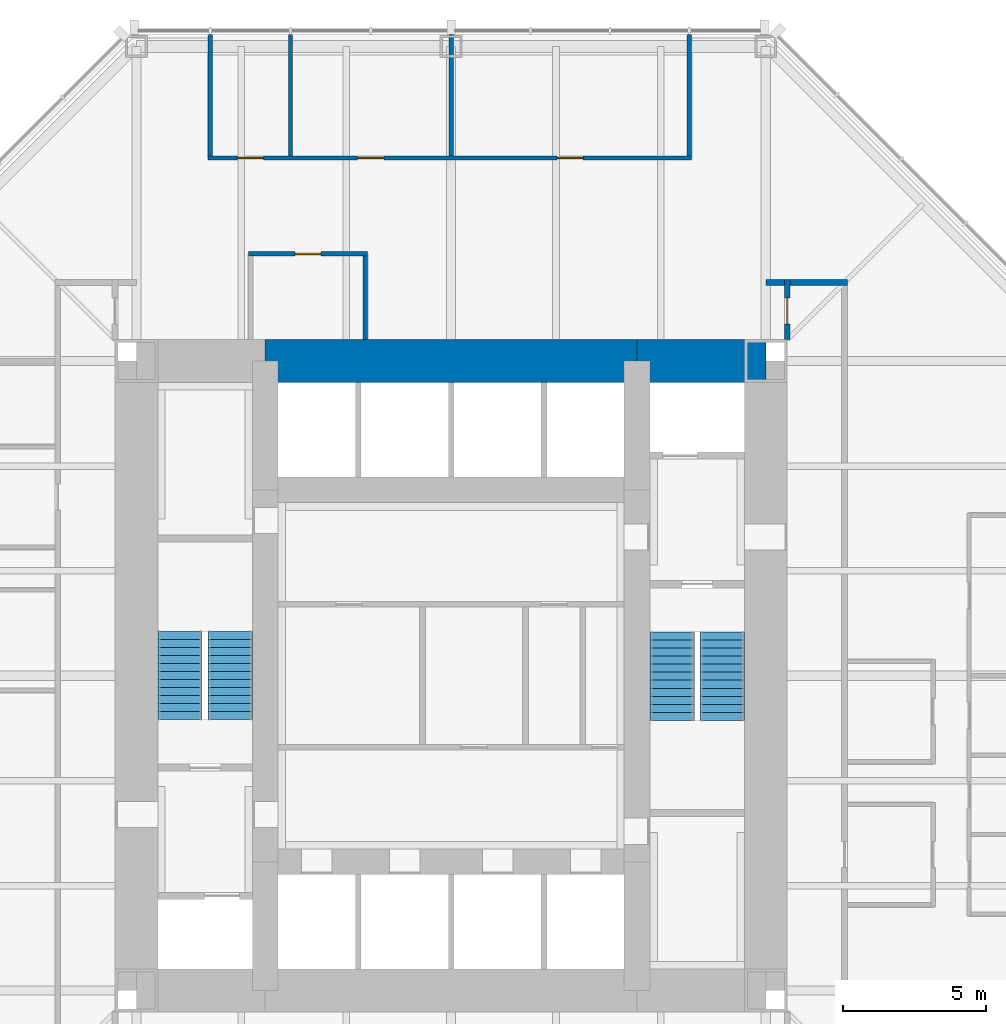
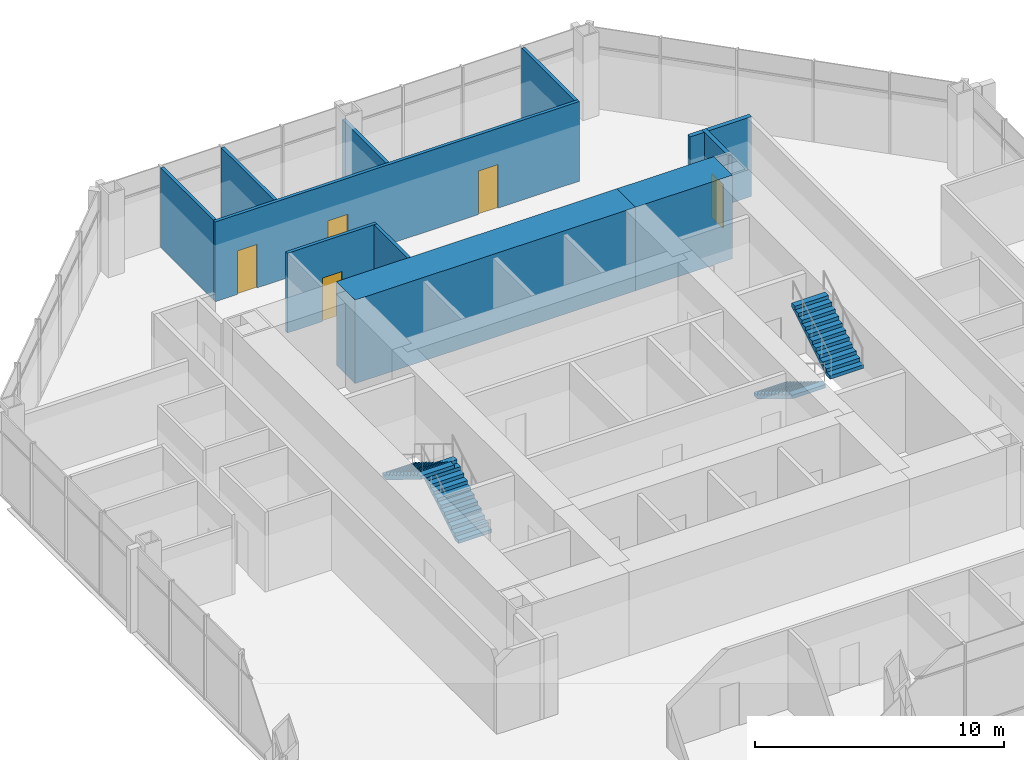
# One storey, part 11 of 12: 11 walls, 5 doors, 4 stair flights, 5 openings, 2 elements without a shape of their own.
"""IFC4 building model written with IfcOpenShell, lengths in metres."""

from ifc_helpers import new_model, si_unit, direction, frame, frame_2d, origin, place, context, subcontext, project, spatial, polyline, rectangle, outline, extrude, material, layer, layer_set, type_object, element, fill, aggregate, save


model = new_model("IFC4")

# Units and contexts
model_context = context("Model", 3, precision=1e-05, world=origin(), true_north=direction((0.0, 1.0)))
body_context = subcontext(model_context, "Body", "Model", "MODEL_VIEW")
ifc_project = project(units=[si_unit("LENGTHUNIT", "METRE"), si_unit("AREAUNIT", "SQUARE_METRE"), si_unit("VOLUMEUNIT", "CUBIC_METRE"), si_unit("PLANEANGLEUNIT", "RADIAN"), si_unit("MASSUNIT", "GRAM", prefix="KILO")], contexts=[model_context])

# Site, building, storey
site_placement = place(None, origin())
site = spatial("IfcSite", under=ifc_project, at=site_placement, CompositionType="ELEMENT")
building_placement = place(site_placement, origin())
building = spatial("IfcBuilding", under=site, at=building_placement, Name="Trevanion Tower", CompositionType="ELEMENT")
storey_placement = place(building_placement, frame((0.0, 0.0, 137.699951171875)))
storey = spatial("IfcBuildingStorey", under=building, at=storey_placement, Name="L32", CompositionType="ELEMENT", Elevation=137.699951171875)

# Walls
ifc_material_1 = material(Name="Concrete 10,000 psi", Category="concrete")
ifc_layer_1 = layer(ifc_material_1, 1.5)
ifc_layer_set_1 = layer_set([ifc_layer_1], Name="CW1 core wall 1500")
wall_type_1 = type_object("IfcWallType", Name="CW1 core wall 1500", PredefinedType="SHEAR", material=ifc_layer_set_1)
wall_1_placement = place(storey_placement, frame((11.0, 11.0, 0.0), z_axis=(0.0, 0.0, 1.0), x_axis=(-1.0, 0.0, 0.0)))
element("IfcWall", 1, at=wall_1_placement, inside=storey, type_object=wall_type_1, Name="CW1 CN1 L32", PredefinedType="SHEAR", context=body_context, shape_type="SweptSolid", body=[
    extrude(rectangle(XDim=4.5, YDim=1.5, at=frame_2d((2.25, 0.0))), origin(), (0.0, 0.0, 1.0), 4.10009765625),
])
wall_2_placement = place(storey_placement, frame((6.5, 11.0, 0.0), z_axis=(0.0, 0.0, 1.0), x_axis=(-1.0, 0.0, 0.0)))
element("IfcWall", 2, at=wall_2_placement, inside=storey, type_object=wall_type_1, Name="CW1 CN2 L32", PredefinedType="SHEAR", context=body_context, shape_type="SweptSolid", body=[
    extrude(rectangle(XDim=13.0, YDim=1.5, at=frame_2d((6.5, 0.0))), origin(), (0.0, 0.0, 1.0), 4.10009765625),
])

# Wall, openings, doors
ifc_material_2 = material(Name="Gypsum board on steel studs", Category="steel")
ifc_layer_2 = layer(ifc_material_2, 0.14990234375)
ifc_layer_set_2 = layer_set([ifc_layer_2], Name="PT1 partition 150")
wall_type_2 = type_object("IfcWallType", Name="PT1 partition 150", PredefinedType="PARTITIONING", material=ifc_layer_set_2)
wall_3_placement = place(storey_placement, frame((8.39794921875, 18.10009765625, 0.0), z_axis=(0.0, 0.0, 1.0), x_axis=(-1.0, 0.0, 0.0)))
wall_3 = element("IfcWall", 3, at=wall_3_placement, inside=storey, type_object=wall_type_2, Name="PT1 L32 FC1F", PredefinedType="PARTITIONING", context=body_context, shape_type="SweptSolid", body=[
    extrude(rectangle(XDim=16.89404296875, YDim=0.14990234375, at=frame_2d((8.447021484375, 0.0))), origin(), (0.0, 0.0, 1.0), 3.91015625),
])
opening_1_placement = place(wall_3_placement, frame((3.779052734375, 0.0, 0.0)))
opening_1 = element("IfcOpeningElement", 4, at=opening_1_placement, cuts=wall_3, Name="Opening 32-023", PredefinedType="OPENING", context=body_context, shape_type="SweptSolid", body=[
    extrude(rectangle(XDim=0.9150390625, YDim=2.134033203125, at=frame_2d((0.45751953125, 1.06689453125))), frame((0.0, 0.0849609375, 0.0), z_axis=(0.0, -1.0, 0.0), x_axis=(1.0, 0.0, 0.0)), (0.0, 0.0, 1.0), 0.169921875),
])
opening_2_placement = place(wall_3_placement, frame((10.74755859375, 0.0, 0.0)))
opening_2 = element("IfcOpeningElement", 5, at=opening_2_placement, cuts=wall_3, Name="Opening 32-024", PredefinedType="OPENING", context=body_context, shape_type="SweptSolid", body=[
    extrude(rectangle(XDim=0.9150390625, YDim=2.134033203125, at=frame_2d((0.45751953125, 1.06689453125))), frame((0.0, 0.0849609375, 0.0), z_axis=(0.0, -1.0, 0.0), x_axis=(1.0, 0.0, 0.0)), (0.0, 0.0, 1.0), 0.169921875),
])
opening_3_placement = place(wall_3_placement, frame((14.9580078125, 0.0, 0.0)))
opening_3 = element("IfcOpeningElement", 6, at=opening_3_placement, cuts=wall_3, Name="Opening 32-025", PredefinedType="OPENING", context=body_context, shape_type="SweptSolid", body=[
    extrude(rectangle(XDim=0.9150390625, YDim=2.134033203125, at=frame_2d((0.45751953125, 1.06689453125))), frame((0.0, 0.0849609375, 0.0), z_axis=(0.0, -1.0, 0.0), x_axis=(1.0, 0.0, 0.0)), (0.0, 0.0, 1.0), 0.169921875),
])
ifc_material_3 = material(Name="Timber veneer, solid core", Category="wood")
door_type_1 = type_object("IfcDoorType", Name="D1 office and meeting room door", OperationType="SINGLE_SWING_LEFT", PredefinedType="DOOR", material=ifc_material_3)
door_1_placement = place(opening_1_placement, origin())
door_1 = element("IfcDoor", 7, at=door_1_placement, inside=storey, type_object=door_type_1, Name="Door 32-023", OperationType="SINGLE_SWING_LEFT", OverallHeight=2.134033203125, OverallWidth=0.9150390625, PredefinedType="DOOR", context=body_context, shape_type="SweptSolid", body=[
    extrude(rectangle(XDim=0.9150390625, YDim=2.134033203125, at=frame_2d((0.45751953125, 1.06689453125))), frame((0.0, 0.02490234375, 0.0), z_axis=(0.0, -1.0, 0.0), x_axis=(1.0, 0.0, 0.0)), (0.0, 0.0, 1.0), 0.050048828125),
])
fill(opening_1, door_1)
door_2_placement = place(opening_2_placement, origin())
door_2 = element("IfcDoor", 8, at=door_2_placement, inside=storey, type_object=door_type_1, Name="Door 32-024", OperationType="SINGLE_SWING_LEFT", OverallHeight=2.134033203125, OverallWidth=0.9150390625, PredefinedType="DOOR", context=body_context, shape_type="SweptSolid", body=[
    extrude(rectangle(XDim=0.9150390625, YDim=2.134033203125, at=frame_2d((0.45751953125, 1.06689453125))), frame((0.0, 0.02490234375, 0.0), z_axis=(0.0, -1.0, 0.0), x_axis=(1.0, 0.0, 0.0)), (0.0, 0.0, 1.0), 0.050048828125),
])
fill(opening_2, door_2)
door_3_placement = place(opening_3_placement, origin())
door_3 = element("IfcDoor", 9, at=door_3_placement, inside=storey, type_object=door_type_1, Name="Door 32-025", OperationType="SINGLE_SWING_LEFT", OverallHeight=2.134033203125, OverallWidth=0.9150390625, PredefinedType="DOOR", context=body_context, shape_type="SweptSolid", body=[
    extrude(rectangle(XDim=0.9150390625, YDim=2.134033203125, at=frame_2d((0.45751953125, 1.06689453125))), frame((0.0, 0.02490234375, 0.0), z_axis=(0.0, -1.0, 0.0), x_axis=(1.0, 0.0, 0.0)), (0.0, 0.0, 1.0), 0.050048828125),
])
fill(opening_3, door_3)

# Walls
wall_4_placement = place(storey_placement, frame((8.322998046875, 18.175048828125, 0.0), z_axis=(0.0, 0.0, 1.0), x_axis=(0.0, 1.0, 0.0)))
element("IfcWall", 10, at=wall_4_placement, inside=storey, type_object=wall_type_2, Name="PT1 L32 FC1S0", PredefinedType="PARTITIONING", context=body_context, shape_type="SweptSolid", body=[
    extrude(rectangle(XDim=4.239990234375, YDim=0.14990234375, at=frame_2d((2.1201171875, 0.0))), origin(), (0.0, 0.0, 1.0), 3.91015625),
])
wall_5_placement = place(storey_placement, frame((0.0, 18.175048828125, 0.0), z_axis=(0.0, 0.0, 1.0), x_axis=(0.0, 1.0, 0.0)))
element("IfcWall", 11, at=wall_5_placement, inside=storey, type_object=wall_type_2, Name="PT1 L32 FC1S3", PredefinedType="PARTITIONING", context=body_context, shape_type="SweptSolid", body=[
    extrude(rectangle(XDim=4.239990234375, YDim=0.14990234375, at=frame_2d((2.1201171875, 0.0))), origin(), (0.0, 0.0, 1.0), 3.325927734375),
])
for number, where, z_axis, x_axis, name in (
    (12, (-5.614013671875, 18.175048828125, 0.0), (0.0, 0.0, 1.0), (0.0, 1.0, 0.0), "PT1 L32 FC1S5"),
    (13, (-8.4208984375, 18.175048828125, 0.0), (0.0, 0.0, 1.0), (0.0, 1.0, 0.0), "PT1 L32 FC1S6"),
):
    element("IfcWall", number, at=place(storey_placement, frame(where, z_axis=z_axis, x_axis=x_axis)), inside=storey, type_object=wall_type_2, Name=name, PredefinedType="PARTITIONING", context=body_context, shape_type="SweptSolid", body=[
        extrude(rectangle(XDim=4.239990234375, YDim=0.14990234375, at=frame_2d((2.1201171875, 0.0))), origin(), (0.0, 0.0, 1.0), 3.91015625),
    ])

# Wall, opening, door
wall_6_placement = place(storey_placement, frame((-2.925048828125, 14.75, 0.0), z_axis=(0.0, 0.0, 1.0), x_axis=(-1.0, 0.0, 0.0)))
wall_6 = element("IfcWall", 14, at=wall_6_placement, inside=storey, type_object=wall_type_2, Name="PT1 L32 IN10F", PredefinedType="PARTITIONING", context=body_context, shape_type="SweptSolid", body=[
    extrude(rectangle(XDim=4.14990234375, YDim=0.14990234375, at=frame_2d((2.074951171875, 0.0))), origin(), (0.0, 0.0, 1.0), 3.91015625),
])
opening_4_placement = place(wall_6_placement, frame((1.617431640625, 0.0, 0.0)))
opening_4 = element("IfcOpeningElement", 15, at=opening_4_placement, cuts=wall_6, Name="Opening 32-042", PredefinedType="OPENING", context=body_context, shape_type="SweptSolid", body=[
    extrude(rectangle(XDim=0.9150390625, YDim=2.134033203125, at=frame_2d((0.45751953125, 1.06689453125))), frame((0.0, 0.0849609375, 0.0), z_axis=(0.0, -1.0, 0.0), x_axis=(1.0, 0.0, 0.0)), (0.0, 0.0, 1.0), 0.169921875),
])
door_4_placement = place(opening_4_placement, origin())
door_4 = element("IfcDoor", 16, at=door_4_placement, inside=storey, type_object=door_type_1, Name="Door 32-042", OperationType="SINGLE_SWING_LEFT", OverallHeight=2.134033203125, OverallWidth=0.9150390625, PredefinedType="DOOR", context=body_context, shape_type="SweptSolid", body=[
    extrude(rectangle(XDim=0.9150390625, YDim=2.134033203125, at=frame_2d((0.45751953125, 1.06689453125))), frame((0.0, 0.02490234375, 0.0), z_axis=(0.0, -1.0, 0.0), x_axis=(1.0, 0.0, 0.0)), (0.0, 0.0, 1.0), 0.050048828125),
])
fill(opening_4, door_4)

# Wall
wall_7_placement = place(storey_placement, frame((-3.0, 14.675048828125, 0.0), z_axis=(0.0, 0.0, 1.0), x_axis=(0.0, -1.0, 0.0)))
element("IfcWall", 17, at=wall_7_placement, inside=storey, type_object=wall_type_2, Name="PT1 L32 IN10S0", PredefinedType="PARTITIONING", context=body_context, shape_type="SweptSolid", body=[
    extrude(rectangle(XDim=2.925048828125, YDim=0.14990234375, at=frame_2d((1.46240234375, 0.0))), origin(), (0.0, 0.0, 1.0), 3.91015625),
])

# Wall, opening, door
ifc_material_4 = material(Name="Concrete masonry, grouted", Category="masonry")
ifc_layer_3 = layer(ifc_material_4, 0.199951171875)
ifc_layer_set_3 = layer_set([ifc_layer_3], Name="PT2 partition 200 1 HR")
wall_type_3 = type_object("IfcWallType", Name="PT2 partition 200 1 HR", PredefinedType="PARTITIONING", material=ifc_layer_set_3)
wall_8_placement = place(storey_placement, frame((11.75, 11.75, 0.0), z_axis=(0.0, 0.0, 1.0), x_axis=(0.0, 1.0, 0.0)))
wall_8 = element("IfcWall", 18, at=wall_8_placement, inside=storey, type_object=wall_type_3, Name="PT2 L32 OUNE1", PredefinedType="PARTITIONING", context=body_context, shape_type="SweptSolid", body=[
    extrude(rectangle(XDim=2.10009765625, YDim=0.199951171875, at=frame_2d((1.050048828125, 0.0))), origin(), (0.0, 0.0, 1.0), 3.91015625),
])
opening_5_placement = place(wall_8_placement, frame((0.54248046875, 0.0, 0.0)))
opening_5 = element("IfcOpeningElement", 19, at=opening_5_placement, cuts=wall_8, Name="Opening 32-019", PredefinedType="OPENING", context=body_context, shape_type="SweptSolid", body=[
    extrude(rectangle(XDim=0.9150390625, YDim=2.134033203125, at=frame_2d((0.45751953125, 1.06689453125))), frame((0.0, 0.10986328125, 0.0), z_axis=(0.0, -1.0, 0.0), x_axis=(1.0, 0.0, 0.0)), (0.0, 0.0, 1.0), 0.219970703125),
])
ifc_material_5 = material(Name="Timber veneer, fire rated", Category="wood")
door_type_2 = type_object("IfcDoorType", Name="D10 office door in a one hour wall", OperationType="SINGLE_SWING_LEFT", PredefinedType="DOOR", material=ifc_material_5)
door_5_placement = place(opening_5_placement, origin())
door_5 = element("IfcDoor", 20, at=door_5_placement, inside=storey, type_object=door_type_2, Name="Door 32-019", OperationType="SINGLE_SWING_LEFT", OverallHeight=2.134033203125, OverallWidth=0.9150390625, PredefinedType="DOOR", context=body_context, shape_type="SweptSolid", body=[
    extrude(rectangle(XDim=0.9150390625, YDim=2.134033203125, at=frame_2d((0.45751953125, 1.06689453125))), frame((0.0, 0.02490234375, 0.0), z_axis=(0.0, -1.0, 0.0), x_axis=(1.0, 0.0, 0.0)), (0.0, 0.0, 1.0), 0.050048828125),
])
fill(opening_5, door_5)

# Wall
wall_9_placement = place(storey_placement, frame((11.0, 13.75, 0.0), z_axis=(0.0, 0.0, 1.0), x_axis=(1.0, 0.0, 0.0)))
element("IfcWall", 21, at=wall_9_placement, inside=storey, type_object=wall_type_3, Name="PT2 L32 OUNE2", PredefinedType="PARTITIONING", context=body_context, shape_type="SweptSolid", body=[
    extrude(rectangle(XDim=2.85009765625, YDim=0.199951171875, at=frame_2d((1.425048828125, 0.0))), origin(), (0.0, 0.0, 1.0), 3.91015625),
])

# Stair, stair flights
ifc_material_6 = material(Name="Concrete 5,000 psi on steel stringers", Category="concrete")
stair_type = type_object("IfcStairType", Name="ST stair", PredefinedType="HALF_TURN_STAIR", material=ifc_material_6)
stair_1_placement = place(storey_placement, origin())
stair_1 = element("IfcStair", 22, at=stair_1_placement, inside=storey, type_object=stair_type, Name="ST1 L32", PredefinedType="HALF_TURN_STAIR")
ifc_material_7 = material(Name="Concrete 5,000 psi in steel pan", Category="concrete")
stair_flight_type = type_object("IfcStairFlightType", Name="STF stair flight", PredefinedType="STRAIGHT", material=ifc_material_7)
stair_flight_1_placement = place(storey_placement, frame((7.72509765625, 1.52490234375, 0.0), z_axis=(0.0, 0.0, 1.0), x_axis=(0.0, -1.0, 0.0)))
stair_flight_1 = element("IfcStairFlight", 23, at=stair_flight_1_placement, type_object=stair_flight_type, Name="ST1 flight 1", NumberOfRisers=12, NumberOfTreads=11, PredefinedType="STRAIGHT", RiserHeight=0.170833333, TreadLength=0.28, context=body_context, shape_type="SweptSolid", body=[
    extrude(outline(polyline([(0.0, 0.0), (0.0, 0.1708984375), (0.280029296875, 0.1708984375), (0.280029296875, 0.341552734375), (0.56005859375, 0.341552734375), (0.56005859375, 0.512451171875), (0.840087890625, 0.512451171875), (0.840087890625, 0.683349609375), (1.1201171875, 0.683349609375), (1.1201171875, 0.854248046875), (1.39990234375, 0.854248046875), (1.39990234375, 1.02490234375), (1.679931640625, 1.02490234375), (1.679931640625, 1.19580078125), (1.9599609375, 1.19580078125), (1.9599609375, 1.36669921875), (2.239990234375, 1.36669921875), (2.239990234375, 1.53759765625), (2.52001953125, 1.53759765625), (2.52001953125, 1.708251953125), (2.800048828125, 1.708251953125), (2.800048828125, 1.879150390625), (3.080078125, 1.879150390625), (3.080078125, 2.050048828125), (3.080078125, 1.70361328125), (0.287841796875, 0.0), (0.0, 0.0)])), frame((0.0, 0.77490234375, 0.0), z_axis=(0.0, -1.0, 0.0), x_axis=(1.0, 0.0, 0.0)), (0.0, 0.0, 1.0), 1.550048828125),
])
stair_flight_2_placement = place(storey_placement, frame((9.47509765625, -1.554931640625, 2.050048828125), z_axis=(0.0, 0.0, 1.0), x_axis=(0.0, 1.0, 0.0)))
stair_flight_2 = element("IfcStairFlight", 24, at=stair_flight_2_placement, type_object=stair_flight_type, Name="ST1 flight 2", NumberOfRisers=12, NumberOfTreads=11, PredefinedType="STRAIGHT", RiserHeight=0.170833333, TreadLength=0.28, context=body_context, shape_type="SweptSolid", body=[
    extrude(outline(polyline([(0.0, 0.0), (0.0, 0.1708984375), (0.280029296875, 0.1708984375), (0.280029296875, 0.341552734375), (0.56005859375, 0.341552734375), (0.56005859375, 0.512451171875), (0.840087890625, 0.512451171875), (0.840087890625, 0.683349609375), (1.1201171875, 0.683349609375), (1.1201171875, 0.854248046875), (1.39990234375, 0.854248046875), (1.39990234375, 1.02490234375), (1.679931640625, 1.02490234375), (1.679931640625, 1.19580078125), (1.9599609375, 1.19580078125), (1.9599609375, 1.36669921875), (2.239990234375, 1.36669921875), (2.239990234375, 1.53759765625), (2.52001953125, 1.53759765625), (2.52001953125, 1.708251953125), (2.800048828125, 1.708251953125), (2.800048828125, 1.879150390625), (3.080078125, 1.879150390625), (3.080078125, 2.050048828125), (3.080078125, 1.70361328125), (0.287841796875, 0.0), (0.0, 0.0)])), frame((0.0, 0.77490234375, 0.0), z_axis=(0.0, -1.0, 0.0), x_axis=(1.0, 0.0, 0.0)), (0.0, 0.0, 1.0), 1.550048828125),
])
aggregate(stair_1, [stair_flight_1, stair_flight_2])

stair_2_placement = place(storey_placement, origin())
stair_2 = element("IfcStair", 25, at=stair_2_placement, inside=storey, type_object=stair_type, Name="ST2 L32", PredefinedType="HALF_TURN_STAIR")
stair_flight_3_placement = place(storey_placement, frame((-7.72509765625, -1.52490234375, 0.0), z_axis=(0.0, 0.0, 1.0), x_axis=(0.0, 1.0, 0.0)))
stair_flight_3 = element("IfcStairFlight", 26, at=stair_flight_3_placement, type_object=stair_flight_type, Name="ST2 flight 1", NumberOfRisers=12, NumberOfTreads=11, PredefinedType="STRAIGHT", RiserHeight=0.170833333, TreadLength=0.28, context=body_context, shape_type="SweptSolid", body=[
    extrude(outline(polyline([(0.0, 0.0), (0.0, 0.1708984375), (0.280029296875, 0.1708984375), (0.280029296875, 0.341552734375), (0.56005859375, 0.341552734375), (0.56005859375, 0.512451171875), (0.840087890625, 0.512451171875), (0.840087890625, 0.683349609375), (1.1201171875, 0.683349609375), (1.1201171875, 0.854248046875), (1.39990234375, 0.854248046875), (1.39990234375, 1.02490234375), (1.679931640625, 1.02490234375), (1.679931640625, 1.19580078125), (1.9599609375, 1.19580078125), (1.9599609375, 1.36669921875), (2.239990234375, 1.36669921875), (2.239990234375, 1.53759765625), (2.52001953125, 1.53759765625), (2.52001953125, 1.708251953125), (2.800048828125, 1.708251953125), (2.800048828125, 1.879150390625), (3.080078125, 1.879150390625), (3.080078125, 2.050048828125), (3.080078125, 1.70361328125), (0.287841796875, 0.0), (0.0, 0.0)])), frame((0.0, 0.77490234375, 0.0), z_axis=(0.0, -1.0, 0.0), x_axis=(1.0, 0.0, 0.0)), (0.0, 0.0, 1.0), 1.550048828125),
])
stair_flight_4_placement = place(storey_placement, frame((-9.47509765625, 1.554931640625, 2.050048828125), z_axis=(0.0, 0.0, 1.0), x_axis=(0.0, -1.0, 0.0)))
stair_flight_4 = element("IfcStairFlight", 27, at=stair_flight_4_placement, type_object=stair_flight_type, Name="ST2 flight 2", NumberOfRisers=12, NumberOfTreads=11, PredefinedType="STRAIGHT", RiserHeight=0.170833333, TreadLength=0.28, context=body_context, shape_type="SweptSolid", body=[
    extrude(outline(polyline([(0.0, 0.0), (0.0, 0.1708984375), (0.280029296875, 0.1708984375), (0.280029296875, 0.341552734375), (0.56005859375, 0.341552734375), (0.56005859375, 0.512451171875), (0.840087890625, 0.512451171875), (0.840087890625, 0.683349609375), (1.1201171875, 0.683349609375), (1.1201171875, 0.854248046875), (1.39990234375, 0.854248046875), (1.39990234375, 1.02490234375), (1.679931640625, 1.02490234375), (1.679931640625, 1.19580078125), (1.9599609375, 1.19580078125), (1.9599609375, 1.36669921875), (2.239990234375, 1.36669921875), (2.239990234375, 1.53759765625), (2.52001953125, 1.53759765625), (2.52001953125, 1.708251953125), (2.800048828125, 1.708251953125), (2.800048828125, 1.879150390625), (3.080078125, 1.879150390625), (3.080078125, 2.050048828125), (3.080078125, 1.70361328125), (0.287841796875, 0.0), (0.0, 0.0)])), frame((0.0, 0.77490234375, 0.0), z_axis=(0.0, -1.0, 0.0), x_axis=(1.0, 0.0, 0.0)), (0.0, 0.0, 1.0), 1.550048828125),
])
aggregate(stair_2, [stair_flight_3, stair_flight_4])

save(model, "model.ifc")
